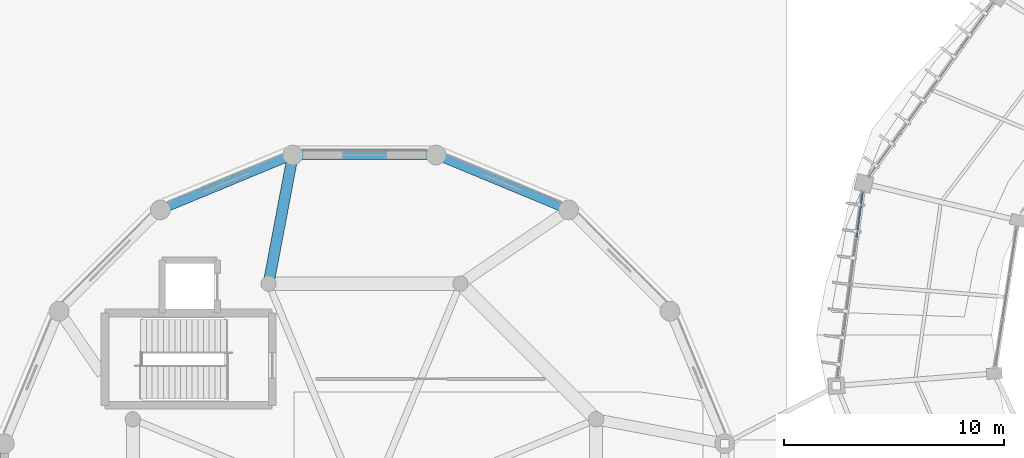
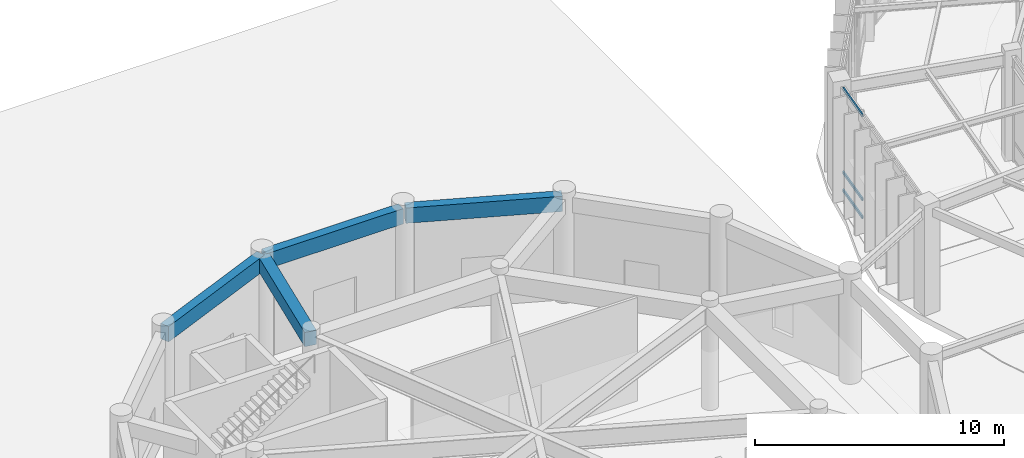
# One storey, part 48 of 157: 4 beams, 3 members, 1 element without a shape of its own.
"""IFC4 building model written with IfcOpenShell, lengths in metres."""

from ifc_helpers import new_model, si_unit, direction, frame, origin, origin_2d, place, context, subcontext, project, spatial, rectangle, hollow_rectangle, extrude, material, material_profile, profile_set, type_object, element, aggregate, save


model = new_model("IFC4")

# Units and contexts
model_context = context("Model", 3, precision=1e-05, world=origin(), true_north=direction((0.0, 1.0)))
body_context = subcontext(model_context, "Body", "Model", "MODEL_VIEW")
ifc_project = project(units=[si_unit("LENGTHUNIT", "METRE"), si_unit("AREAUNIT", "SQUARE_METRE"), si_unit("VOLUMEUNIT", "CUBIC_METRE"), si_unit("PLANEANGLEUNIT", "RADIAN"), si_unit("MASSUNIT", "GRAM", prefix="KILO"), si_unit("THERMODYNAMICTEMPERATUREUNIT", "KELVIN"), si_unit("POWERUNIT", "WATT")], contexts=[model_context])

# Site, building, storey
site_placement = place(None, origin())
site = spatial("IfcSite", under=ifc_project, at=site_placement, CompositionType="ELEMENT")
building_placement = place(site_placement, origin())
building = spatial("IfcBuilding", under=site, at=building_placement, Name="Darbajah Civic Hall", CompositionType="ELEMENT")
storey_placement = place(building_placement, origin())
storey = spatial("IfcBuildingStorey", under=building, at=storey_placement, Name="L00", CompositionType="ELEMENT", Elevation=0.0)

# Curtain wall, members
ifc_material_1 = material(Name="Anodised Bronze Aluminium and Low-E Glazing", Category="aluminium")
curtain_wall_type = type_object("IfcCurtainWallType", Name="Unitised Curtain Wall CW-10 8500x5100", PredefinedType="USERDEFINED", material=ifc_material_1)
curtain_wall_placement = place(storey_placement, origin())
curtain_wall = element("IfcCurtainWall", 1, at=curtain_wall_placement, inside=storey, type_object=curtain_wall_type, Name="L00 unitised curtain wall CW-V1O-L00-09", ObjectType="UNITISED CURTAIN WALL", PredefinedType="USERDEFINED")
ifc_material_2 = material(Name="Anodised Bronze Aluminium", Category="aluminium")
ifc_material_profile_1 = material_profile(ifc_material_2, hollow_rectangle(XDim=0.06494140625, YDim=0.139892578125, WallThickness=0.00341796875, at=origin_2d()), Name="ALU TRANSOM 65x140")
ifc_profile_set_1 = profile_set([ifc_material_profile_1], Name="Anodised Bronze Aluminium")
member_type = type_object("IfcMemberType", Name="ALU TRANSOM 65x140", PredefinedType="USERDEFINED", material=ifc_profile_set_1)
member_1_placement = place(storey_placement, frame((39.453125, 96.27587890625, 0.070068359375), z_axis=(-0.134774364616, -0.990876314503, 0.0), x_axis=(0.990876314503, -0.134774364616, 0.0)))
member_1 = element("IfcMember", 2, at=member_1_placement, type_object=member_type, Name="CW-V1O-L00-09 transom 1.1", ObjectType="TRANSOM", PredefinedType="USERDEFINED", context=body_context, shape_type="SweptSolid", body=[
    extrude(hollow_rectangle(XDim=0.06494140625, YDim=0.139892578125, WallThickness=0.00341796875, at=origin_2d()), origin(), (0.0, 0.0, 1.0), 2.057861328125),
])
member_2_placement = place(storey_placement, frame((39.453125, 96.27587890625, 0.949951171875), z_axis=(-0.134774364616, -0.990876314503, 0.0), x_axis=(0.990876314503, -0.134774364616, 0.0)))
member_2 = element("IfcMember", 3, at=member_2_placement, type_object=member_type, Name="CW-V1O-L00-09 transom 1.2", ObjectType="TRANSOM", PredefinedType="USERDEFINED", context=body_context, shape_type="SweptSolid", body=[
    extrude(hollow_rectangle(XDim=0.06494140625, YDim=0.139892578125, WallThickness=0.00341796875, at=origin_2d()), origin(), (0.0, 0.0, 1.0), 2.057861328125),
])
member_3_placement = place(storey_placement, frame((39.453125, 96.27587890625, 5.050048828125), z_axis=(-0.134774364616, -0.990876314503, 0.0), x_axis=(0.990876314503, -0.134774364616, 0.0)))
member_3 = element("IfcMember", 4, at=member_3_placement, type_object=member_type, Name="CW-V1O-L00-09 transom 1.3", ObjectType="TRANSOM", PredefinedType="USERDEFINED", context=body_context, shape_type="SweptSolid", body=[
    extrude(hollow_rectangle(XDim=0.06494140625, YDim=0.139892578125, WallThickness=0.00341796875, at=origin_2d()), origin(), (0.0, 0.0, 1.0), 2.057861328125),
])
aggregate(curtain_wall, [member_1, member_2, member_3])

# Beams
ifc_material_3 = material(Name="Concrete C45/55", Category="concrete")
ifc_material_profile_2 = material_profile(ifc_material_3, rectangle(XDim=0.5, YDim=0.699951171875, at=origin_2d()), Name="RC BEAM 500x700")
ifc_profile_set_2 = profile_set([ifc_material_profile_2], Name="Concrete C45/55")
beam_type_1 = type_object("IfcBeamType", Name="RC BEAM 500x700", PredefinedType="BEAM", material=ifc_profile_set_2)
beam_1_placement = place(storey_placement, frame((12.4521484375, 92.210693359375, 4.72998046875), z_axis=(0.185596354676, 0.982626069841, 0.0), x_axis=(-0.982626069841, 0.185596354676, 0.0)))
element("IfcBeam", 5, at=beam_1_placement, inside=storey, type_object=beam_type_1, Name="L00 beam BM-5070", PredefinedType="BEAM", context=body_context, shape_type="SweptSolid", body=[
    extrude(rectangle(XDim=0.5, YDim=0.699951171875, at=origin_2d()), origin(), (0.0, 0.0, 1.0), 5.78125),
])
ifc_material_profile_3 = material_profile(ifc_material_3, rectangle(XDim=0.39990234375, YDim=0.75, at=origin_2d()), Name="RC SPANDREL 400x750")
ifc_profile_set_3 = profile_set([ifc_material_profile_3], Name="Concrete C45/55")
beam_type_2 = type_object("IfcBeamType", Name="RC SPANDREL 400x750", PredefinedType="SPANDREL", material=ifc_profile_set_3)
for number, where, z_axis, x_axis, name in (
    (6, (25.995361328125, 95.520751953125, 4.705078125), (-0.92387970686, 0.382683011449, 0.0), (-0.382683011449, -0.92387970686, 0.0), "L00 beam SP-4075"),
    (7, (19.96826171875, 97.97998046875, 4.705078125), (-1.0, 0.0, 0.0), (0.0, -1.0, 0.0), "L00 beam SP-4075"),
):
    element("IfcBeam", number, at=place(storey_placement, frame(where, z_axis=z_axis, x_axis=x_axis)), inside=storey, type_object=beam_type_2, Name=name, PredefinedType="SPANDREL", context=body_context, shape_type="SweptSolid", body=[
        extrude(rectangle(XDim=0.39990234375, YDim=0.75, at=origin_2d()), origin(), (0.0, 0.0, 1.0), 6.33642578125),
    ])
beam_2_placement = place(storey_placement, frame((13.458740234375, 97.945556640625, 4.705078125), z_axis=(-0.923885349179, -0.382669389384, 0.0), x_axis=(0.382669389384, -0.923885349179, 0.0)))
element("IfcBeam", 8, at=beam_2_placement, inside=storey, type_object=beam_type_2, Name="L00 beam SP-4075", PredefinedType="SPANDREL", context=body_context, shape_type="SweptSolid", body=[
    extrude(rectangle(XDim=0.39990234375, YDim=0.75, at=origin_2d()), origin(), (0.0, 0.0, 1.0), 6.336669921875),
])

save(model, "model.ifc")
